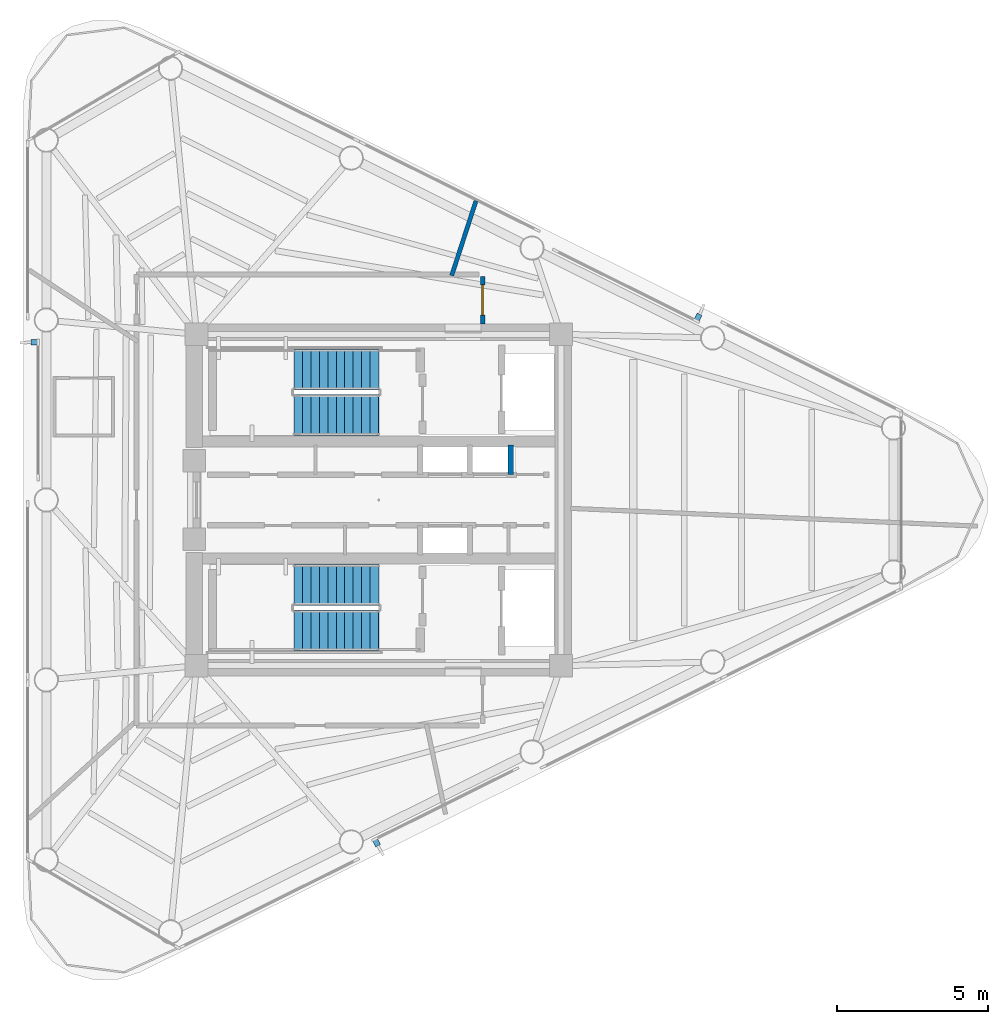
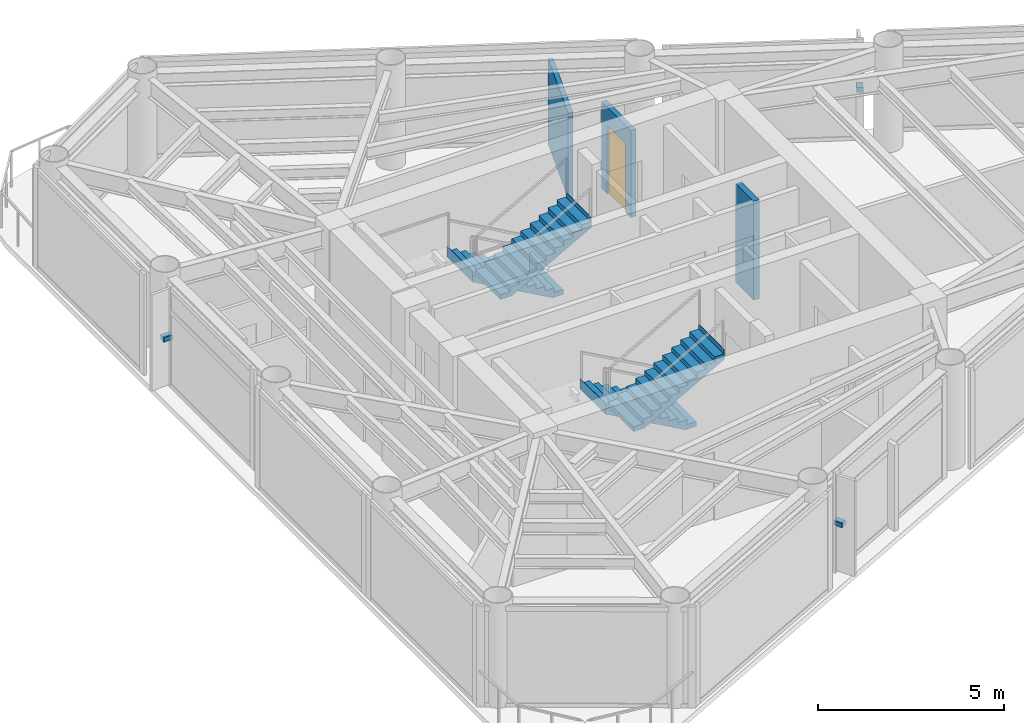
# One storey, part 6 of 10: 4 stair flights, 3 discrete accessories, 3 walls, 1 door, 1 opening, 2 elements without a shape of their own.
"""IFC4 building model written with IfcOpenShell, lengths in metres."""

from ifc_helpers import new_model, si_unit, direction, frame, frame_2d, origin, origin_2d, place, context, subcontext, project, spatial, polyline, rectangle, outline, extrude, source, transform, mapped, material, layer, layer_set, type_object, element, fill, aggregate, save


model = new_model("IFC4")

# Units and contexts
model_context = context("Model", 3, precision=1e-05, world=origin(), true_north=direction((0.0, 1.0)))
body_context = subcontext(model_context, "Body", "Model", "MODEL_VIEW")
ifc_project = project(units=[si_unit("LENGTHUNIT", "METRE"), si_unit("AREAUNIT", "SQUARE_METRE"), si_unit("VOLUMEUNIT", "CUBIC_METRE"), si_unit("PLANEANGLEUNIT", "RADIAN"), si_unit("MASSUNIT", "GRAM", prefix="KILO")], contexts=[model_context])

# Site, building, storey
site_placement = place(None, origin())
site = spatial("IfcSite", under=ifc_project, at=site_placement, CompositionType="ELEMENT")
building_placement = place(site_placement, origin())
building = spatial("IfcBuilding", under=site, at=building_placement, Name="Yunling Apex Tower", CompositionType="ELEMENT")
storey_placement = place(building_placement, frame((0.0, 0.0, 296.75)))
storey = spatial("IfcBuildingStorey", under=building, at=storey_placement, Name="L72", CompositionType="ELEMENT", Elevation=296.75)

# Wall, opening, door
ifc_material_1 = material(Name="Gypsum board acoustic partition")
ifc_layer_1 = layer(ifc_material_1, 0.159912109375)
ifc_layer_set_1 = layer_set([ifc_layer_1], Name="Gypsum board acoustic partition")
wall_type_1 = type_object("IfcWallType", Name="WL-PRT-1", PredefinedType="PARTITIONING", material=ifc_layer_set_1)
wall_1_placement = place(storey_placement, frame((3.449951171875, 7.4248046875, 0.0), z_axis=(0.0, 0.0, 1.0), x_axis=(0.0, -1.0, 0.0)))
wall_1 = element("IfcWall", 1, at=wall_1_placement, inside=storey, type_object=wall_type_1, Name="WL-CORR-L72-04", PredefinedType="PARTITIONING", context=body_context, shape_type="SweptSolid", body=[
    extrude(rectangle(XDim=1.57470703125, YDim=0.159912109375, at=frame_2d((0.787353515625, 0.0))), origin(), (0.0, 0.0, 1.0), 2.85498046875),
])
opening_placement = place(wall_1_placement, frame((0.287353515625, 0.0, 0.0)))
opening = element("IfcOpeningElement", 2, at=opening_placement, cuts=wall_1, Name="Opening DR-OFF-1", PredefinedType="OPENING", context=body_context, shape_type="SweptSolid", body=[
    extrude(rectangle(XDim=1.0, YDim=2.25, at=frame_2d((0.5, 1.125))), frame((0.0, 0.08984375, 0.0), z_axis=(0.0, -1.0, 0.0), x_axis=(1.0, 0.0, 0.0)), (0.0, 0.0, 1.0), 0.179931640625),
])
ifc_material_2 = material(Name="Bronze anodised aluminium", Category="aluminium")
door_type = type_object("IfcDoorType", Name="DR-OFF-1", OperationType="NOTDEFINED", PredefinedType="DOOR", material=ifc_material_2)
door_placement = place(opening_placement, origin())
door = element("IfcDoor", 3, at=door_placement, inside=storey, type_object=door_type, Name="L72 Residents Reading Lounge Door", OperationType="SINGLE_SWING_LEFT", OverallHeight=2.25, OverallWidth=1.0, PredefinedType="DOOR", context=body_context, shape_type="SweptSolid", body=[
    extrude(rectangle(XDim=1.0, YDim=2.25, at=frame_2d((0.5, 1.125))), frame((0.0, 0.02490234375, 0.0), z_axis=(0.0, -1.0, 0.0), x_axis=(1.0, 0.0, 0.0)), (0.0, 0.0, 1.0), 0.050048828125),
])
fill(opening, door)

# Walls
ifc_layer_2 = layer(ifc_material_1, 0.139892578125)
ifc_layer_set_2 = layer_set([ifc_layer_2], Name="Gypsum board acoustic partition")
wall_type_2 = type_object("IfcWallType", Name="WL-PRT-2", PredefinedType="PARTITIONING", material=ifc_layer_set_2)
wall_2_placement = place(storey_placement, frame((2.420654296875, 7.449951171875, 0.0), z_axis=(0.0, 0.0, 1.0), x_axis=(0.309047920595, 0.951046467201, 0.0)))
element("IfcWall", 4, at=wall_2_placement, inside=storey, type_object=wall_type_2, Name="WL-RAD-L72-02", PredefinedType="PARTITIONING", context=body_context, shape_type="SweptSolid", body=[
    extrude(rectangle(XDim=2.6044921875, YDim=0.139892578125, at=frame_2d((1.30224609375, 0.0))), origin(), (0.0, 0.0, 1.0), 2.81494140625),
])
ifc_material_3 = material(Name="Autoclaved aerated concrete masonry", Category="masonry")
ifc_layer_3 = layer(ifc_material_3, 0.179931640625)
ifc_layer_set_3 = layer_set([ifc_layer_3], Name="Autoclaved aerated concrete masonry")
wall_type_3 = type_object("IfcWallType", Name="WL-SHF-2", PredefinedType="PLUMBINGWALL", material=ifc_layer_set_3)
wall_3_placement = place(storey_placement, frame((4.3798828125, 0.840087890625, 0.0), z_axis=(0.0, 0.0, 1.0), x_axis=(0.0, 1.0, 0.0)))
element("IfcWall", 5, at=wall_3_placement, inside=storey, type_object=wall_type_3, Name="WL-END-H3E-L72", PredefinedType="PLUMBINGWALL", context=body_context, shape_type="SweptSolid", body=[
    extrude(rectangle(XDim=0.97998046875, YDim=0.179931640625, at=frame_2d((0.489990234375, 0.0))), origin(), (0.0, 0.0, 1.0), 3.25),
])

# Stair, stair flights
ifc_material_4 = material(Name="Concrete C40", Category="concrete")
stair_type = type_object("IfcStairType", Name="ST-TWR-3", PredefinedType="HALF_TURN_STAIR", material=ifc_material_4)
stair_1_placement = place(storey_placement, origin())
stair_1 = element("IfcStair", 6, at=stair_1_placement, inside=storey, type_object=stair_type, Name="L72 North Core Smokeproof Exit Stair ST-1", PredefinedType="HALF_TURN_STAIR")
stair_flight_type = type_object("IfcStairFlightType", Name="SFL-TWR-3", PredefinedType="STRAIGHT", material=ifc_material_4)
stair_flight_1_placement = place(storey_placement, frame((-0.010009765625, 4.330078125, 0.0), z_axis=(0.0, 0.0, 1.0), x_axis=(-1.0, 0.0, 0.0)))
stair_flight_1 = element("IfcStairFlight", 7, at=stair_flight_1_placement, type_object=stair_flight_type, Name="ST-1 flight 1", NumberOfRisers=11, NumberOfTreads=10, PredefinedType="STRAIGHT", RiserHeight=0.156818182, TreadLength=0.28, context=body_context, shape_type="SweptSolid", body=[
    extrude(outline(polyline([(-0.011962890625, 0.0), (-0.011962890625, 0.15673828125), (0.0, 0.15673828125), (0.280029296875, 0.15673828125), (0.280029296875, 0.313720703125), (0.56005859375, 0.313720703125), (0.56005859375, 0.470458984375), (0.840087890625, 0.470458984375), (0.840087890625, 0.627197265625), (1.1201171875, 0.627197265625), (1.1201171875, 0.7841796875), (1.39990234375, 0.7841796875), (1.39990234375, 0.94091796875), (1.679931640625, 0.94091796875), (1.679931640625, 1.09765625), (1.9599609375, 1.09765625), (1.9599609375, 1.254638671875), (2.239990234375, 1.254638671875), (2.239990234375, 1.411376953125), (2.52001953125, 1.411376953125), (2.52001953125, 1.568115234375), (2.800048828125, 1.568115234375), (2.800048828125, 1.72509765625), (2.81201171875, 1.72509765625), (2.81201171875, 1.385009765625), (0.3271484375, 0.0), (-0.011962890625, 0.0)])), frame((0.0, 0.68017578125, 0.0), z_axis=(0.0, -1.0, 0.0), x_axis=(1.0, 0.0, 0.0)), (0.0, 0.0, 1.0), 1.360107421875),
])
stair_flight_2_placement = place(storey_placement, frame((-2.81005859375, 2.820068359375, 1.72509765625), z_axis=(0.0, 0.0, 1.0), x_axis=(1.0, 0.0, 0.0)))
stair_flight_2 = element("IfcStairFlight", 8, at=stair_flight_2_placement, type_object=stair_flight_type, Name="ST-1 flight 2", NumberOfRisers=11, NumberOfTreads=10, PredefinedType="STRAIGHT", RiserHeight=0.156818182, TreadLength=0.28, context=body_context, shape_type="SweptSolid", body=[
    extrude(outline(polyline([(-0.011962890625, 0.0), (-0.011962890625, 0.15673828125), (0.0, 0.15673828125), (0.280029296875, 0.15673828125), (0.280029296875, 0.313720703125), (0.56005859375, 0.313720703125), (0.56005859375, 0.470458984375), (0.840087890625, 0.470458984375), (0.840087890625, 0.627197265625), (1.1201171875, 0.627197265625), (1.1201171875, 0.7841796875), (1.39990234375, 0.7841796875), (1.39990234375, 0.94091796875), (1.679931640625, 0.94091796875), (1.679931640625, 1.09765625), (1.9599609375, 1.09765625), (1.9599609375, 1.254638671875), (2.239990234375, 1.254638671875), (2.239990234375, 1.411376953125), (2.52001953125, 1.411376953125), (2.52001953125, 1.568115234375), (2.800048828125, 1.568115234375), (2.800048828125, 1.72509765625), (2.81201171875, 1.72509765625), (2.81201171875, 1.385009765625), (0.3271484375, 0.0), (-0.011962890625, 0.0)])), frame((0.0, 0.68017578125, 0.0), z_axis=(0.0, -1.0, 0.0), x_axis=(1.0, 0.0, 0.0)), (0.0, 0.0, 1.0), 1.360107421875),
])
aggregate(stair_1, [stair_flight_1, stair_flight_2])

stair_2_placement = place(storey_placement, origin())
stair_2 = element("IfcStair", 9, at=stair_2_placement, inside=storey, type_object=stair_type, Name="L72 South Core Smokeproof Exit Stair ST-2", PredefinedType="HALF_TURN_STAIR")
stair_flight_3_placement = place(storey_placement, frame((-0.010009765625, -2.820068359375, 0.0), z_axis=(0.0, 0.0, 1.0), x_axis=(-1.0, 0.0, 0.0)))
stair_flight_3 = element("IfcStairFlight", 10, at=stair_flight_3_placement, type_object=stair_flight_type, Name="ST-2 flight 1", NumberOfRisers=11, NumberOfTreads=10, PredefinedType="STRAIGHT", RiserHeight=0.156818182, TreadLength=0.28, context=body_context, shape_type="SweptSolid", body=[
    extrude(outline(polyline([(-0.011962890625, 0.0), (-0.011962890625, 0.15673828125), (0.0, 0.15673828125), (0.280029296875, 0.15673828125), (0.280029296875, 0.313720703125), (0.56005859375, 0.313720703125), (0.56005859375, 0.470458984375), (0.840087890625, 0.470458984375), (0.840087890625, 0.627197265625), (1.1201171875, 0.627197265625), (1.1201171875, 0.7841796875), (1.39990234375, 0.7841796875), (1.39990234375, 0.94091796875), (1.679931640625, 0.94091796875), (1.679931640625, 1.09765625), (1.9599609375, 1.09765625), (1.9599609375, 1.254638671875), (2.239990234375, 1.254638671875), (2.239990234375, 1.411376953125), (2.52001953125, 1.411376953125), (2.52001953125, 1.568115234375), (2.800048828125, 1.568115234375), (2.800048828125, 1.72509765625), (2.81201171875, 1.72509765625), (2.81201171875, 1.385009765625), (0.3271484375, 0.0), (-0.011962890625, 0.0)])), frame((0.0, 0.68017578125, 0.0), z_axis=(0.0, -1.0, 0.0), x_axis=(1.0, 0.0, 0.0)), (0.0, 0.0, 1.0), 1.360107421875),
])
stair_flight_4_placement = place(storey_placement, frame((-2.81005859375, -4.330078125, 1.72509765625), z_axis=(0.0, 0.0, 1.0), x_axis=(1.0, 0.0, 0.0)))
stair_flight_4 = element("IfcStairFlight", 11, at=stair_flight_4_placement, type_object=stair_flight_type, Name="ST-2 flight 2", NumberOfRisers=11, NumberOfTreads=10, PredefinedType="STRAIGHT", RiserHeight=0.156818182, TreadLength=0.28, context=body_context, shape_type="SweptSolid", body=[
    extrude(outline(polyline([(-0.011962890625, 0.0), (-0.011962890625, 0.15673828125), (0.0, 0.15673828125), (0.280029296875, 0.15673828125), (0.280029296875, 0.313720703125), (0.56005859375, 0.313720703125), (0.56005859375, 0.470458984375), (0.840087890625, 0.470458984375), (0.840087890625, 0.627197265625), (1.1201171875, 0.627197265625), (1.1201171875, 0.7841796875), (1.39990234375, 0.7841796875), (1.39990234375, 0.94091796875), (1.679931640625, 0.94091796875), (1.679931640625, 1.09765625), (1.9599609375, 1.09765625), (1.9599609375, 1.254638671875), (2.239990234375, 1.254638671875), (2.239990234375, 1.411376953125), (2.52001953125, 1.411376953125), (2.52001953125, 1.568115234375), (2.800048828125, 1.568115234375), (2.800048828125, 1.72509765625), (2.81201171875, 1.72509765625), (2.81201171875, 1.385009765625), (0.3271484375, 0.0), (-0.011962890625, 0.0)])), frame((0.0, 0.68017578125, 0.0), z_axis=(0.0, -1.0, 0.0), x_axis=(1.0, 0.0, 0.0)), (0.0, 0.0, 1.0), 1.360107421875),
])
aggregate(stair_2, [stair_flight_3, stair_flight_4])

# Discrete accessories
ifc_material_5 = material(Name="Steel Q355B", Category="steel")
discrete_accessory_type = type_object("IfcDiscreteAccessoryType", Name="BK-FIN-1", PredefinedType="BRACKET", material=ifc_material_5)
shared_shape = source(origin(), body_context, "Body", "SweptSolid", [
    extrude(rectangle(XDim=0.179931640625, YDim=0.260009765625, at=origin_2d()), origin(), (0.0, 0.0, 1.0), 0.159912109375),
])
for number, where, z_axis, x_axis, name in (
    (12, (-0.08203125, -11.361083984375, 1.55517578125), (0.0, 0.0, 1.0), (0.895245648325, 0.445572922377, 0.0), "CW-L72-F1-B2-BRK-01-1"),
    (13, (10.59326171875, 6.047607421875, 1.55517578125), (0.0, 0.0, 1.0), (-0.895245648325, 0.445572922377, 0.0), "CW-L72-F2-B2-BRK-01-1"),
    (14, (-11.417236328125, 5.232666015625, 1.55517578125), (0.0, 0.0, 1.0), (0.0, -1.0, 0.0), "CW-L72-F3-B2-BRK-01-1"),
):
    element("IfcDiscreteAccessory", number, at=place(storey_placement, frame(where, z_axis=z_axis, x_axis=x_axis)), inside=storey, type_object=discrete_accessory_type, Name=name, PredefinedType="BRACKET", context=body_context, shape_type="MappedRepresentation", body=[
        mapped(shared_shape, transform((0.0, 0.0, 0.0), scale=1.0)),
    ])

save(model, "model.ifc")
